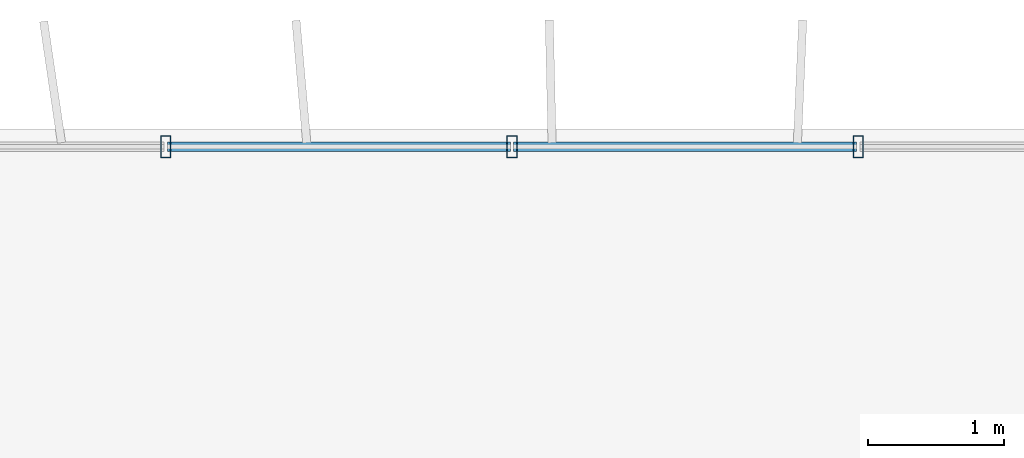
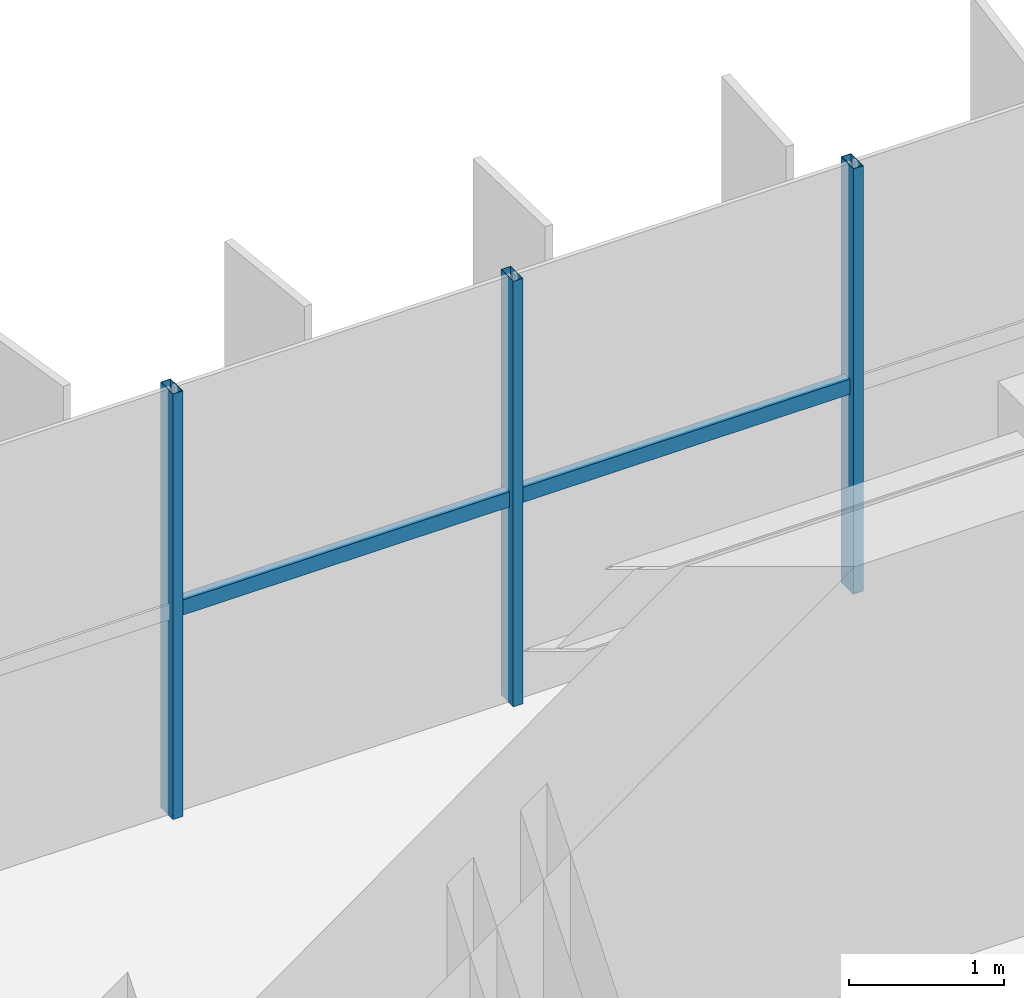
# One storey, part 8 of 23: 5 members, 1 element without a shape of its own.
"""IFC4 building model written with IfcOpenShell, lengths in metres."""

import ifcopenshell
import ifcopenshell.guid

model = None  # the IFC model being written
_history = None  # IfcOwnerHistory: only IFC2X3 demands one
_inside = {}  # id of a spatial element -> (the spatial element, [elements in it])
_under = {}  # id of a project, library or spatial element -> (it, [spatial elements below it])
_declared = {}  # id of a project -> (the project, [libraries it declares])
_typed = {}  # id of a type object -> (the type object, [elements of that type])
_made_of = {}  # id of a material, layer set ... -> (it, [elements and type objects made of it])


def new_model(schema):
    """Start an empty IFC model of exactly this schema.

    Asked for "IFC4X3", IfcOpenShell would pick the latest addendum, in which some entities
    have other attributes; the version numbers below select the first issue.
    IFC2X3 requires an IfcOwnerHistory on every rooted entity: one is made here for all.
    """
    global model, _history
    if schema == "IFC4X3":
        model = ifcopenshell.file(schema_version=(4, 3, 0, 0))
    else:
        model = ifcopenshell.file(schema=schema)
    _inside.clear()
    _under.clear()
    _declared.clear()
    _typed.clear()
    _made_of.clear()
    _history = None
    if model.schema == "IFC2X3":
        org = make("IfcOrganization", Name="unknown")
        user = make(
            "IfcPersonAndOrganization",
            ThePerson=make("IfcPerson", FamilyName="unknown"),
            TheOrganization=org,
        )
        app = make(
            "IfcApplication",
            ApplicationDeveloper=org,
            Version="unknown",
            ApplicationFullName="unknown",
            ApplicationIdentifier="unknown",
        )
        _history = make(
            "IfcOwnerHistory",
            OwningUser=user,
            OwningApplication=app,
            ChangeAction="ADDED",
            CreationDate=0,
        )
    return model


def make(cls, **values):
    """One entity of the class cls with the attributes given. An attribute that is None is left unset."""
    return model.create_entity(
        cls, **{name: value for name, value in values.items() if value is not None}
    )


def rooted(cls, **values):
    """An entity with a GlobalId (a new one), such as an element, a storey or a relation."""
    return make(cls, GlobalId=ifcopenshell.guid.new(), OwnerHistory=_history, **values)


def si_unit(unit_type, name, prefix=None):
    """IfcSIUnit, for example si_unit("LENGTHUNIT", "METRE", prefix="MILLI")."""
    return make("IfcSIUnit", UnitType=unit_type, Prefix=prefix, Name=name)


def assignment(units):
    """IfcUnitAssignment: the units of a project."""
    return None if units is None else make("IfcUnitAssignment", Units=units)


def point(xyz):
    """IfcCartesianPoint."""
    return None if xyz is None else make("IfcCartesianPoint", Coordinates=xyz)


def direction(xyz):
    """IfcDirection."""
    return None if xyz is None else make("IfcDirection", DirectionRatios=xyz)


def frame(location, z_axis=None, x_axis=None):
    """IfcAxis2Placement3D, a coordinate frame: its origin and axes. An axis left out is left unset."""
    return make(
        "IfcAxis2Placement3D",
        Location=point(location),
        Axis=direction(z_axis),
        RefDirection=direction(x_axis),
    )


def frame_2d(location, x_axis=None):
    """IfcAxis2Placement2D, a coordinate frame in the plane: its origin and x axis."""
    return make(
        "IfcAxis2Placement2D", Location=point(location), RefDirection=direction(x_axis)
    )


def origin():
    """The frame at (0, 0, 0) with its axes left unset."""
    return frame((0.0, 0.0, 0.0))


def origin_2d():
    """The frame at (0, 0) in the plane with its x axis left unset."""
    return frame_2d((0.0, 0.0))


def place(relative_to, where):
    """IfcLocalPlacement: puts the frame where relative to a parent placement (None: the world)."""
    return make(
        "IfcLocalPlacement", PlacementRelTo=relative_to, RelativePlacement=where
    )


def context(
    kind, dimensions, precision=None, world=None, true_north=None, identifier=None
):
    """IfcGeometricRepresentationContext, for example the 3D "Model" context."""
    return make(
        "IfcGeometricRepresentationContext",
        ContextIdentifier=identifier,
        ContextType=kind,
        CoordinateSpaceDimension=dimensions,
        Precision=precision,
        WorldCoordinateSystem=world,
        TrueNorth=true_north,
    )


def subcontext(parent, identifier, kind, view, scale=None):
    """IfcGeometricRepresentationSubContext, for example "Body" below "Model"."""
    return make(
        "IfcGeometricRepresentationSubContext",
        ContextIdentifier=identifier,
        ContextType=kind,
        ParentContext=parent,
        TargetScale=scale,
        TargetView=view,
    )


def project(units=None, contexts=None):
    """IfcProject with its units and contexts."""
    return rooted(
        "IfcProject",
        Name="project",
        RepresentationContexts=contexts,
        UnitsInContext=assignment(units),
    )


def spatial(cls, under=None, at=None, **own):
    """A site, building, storey or space (cls), placed at a placement, below another one or the project."""
    s = rooted(cls, ObjectPlacement=at, **own)
    if under is not None:
        _under.setdefault(under.id(), (under, []))[1].append(s)
    return s


def profile(cls, at=None, kind="AREA", **sizes):
    """A parametric profile (cls). Its sizes go by their IFC names, for example OverallWidth=200.0."""
    return make(cls, ProfileType=kind, Position=at, **sizes)


def hollow_rectangle(**sizes):
    """IfcRectangleHollowProfileDef."""
    return profile("IfcRectangleHollowProfileDef", **sizes)


def extrude(swept, where, along, depth):
    """IfcExtrudedAreaSolid: the profile swept, set in the frame where, extruded along a direction by depth."""
    return make(
        "IfcExtrudedAreaSolid",
        SweptArea=swept,
        Position=where,
        ExtrudedDirection=direction(along),
        Depth=depth,
    )


def shape(context_of_items, identifier, shape_type, items):
    """IfcShapeRepresentation: the items that make up one representation, for example the "Body"."""
    return make(
        "IfcShapeRepresentation",
        ContextOfItems=context_of_items,
        RepresentationIdentifier=identifier,
        RepresentationType=shape_type,
        Items=items,
    )


def source(mapping_origin, context_of_items, identifier, shape_type, items):
    """IfcRepresentationMap: a shape defined once, which mapped items show again and again."""
    return make(
        "IfcRepresentationMap",
        MappingOrigin=mapping_origin,
        MappedRepresentation=shape(context_of_items, identifier, shape_type, items),
    )


def transform(
    local_origin,
    x_axis=None,
    y_axis=None,
    z_axis=None,
    scale=None,
    scale2=None,
    scale3=None,
    uniform=True,
):
    """IfcCartesianTransformationOperator3D, or its non-uniform kind. x_axis, y_axis, z_axis: its Axis1, 2, 3."""
    if uniform:
        return make(
            "IfcCartesianTransformationOperator3D",
            Axis1=direction(x_axis),
            Axis2=direction(y_axis),
            LocalOrigin=point(local_origin),
            Scale=scale,
            Axis3=direction(z_axis),
        )
    return make(
        "IfcCartesianTransformationOperator3DnonUniform",
        Axis1=direction(x_axis),
        Axis2=direction(y_axis),
        LocalOrigin=point(local_origin),
        Scale=scale,
        Axis3=direction(z_axis),
        Scale2=scale2,
        Scale3=scale3,
    )


def mapped(mapping_source, mapping_target):
    """IfcMappedItem: shows the shape of a source again, moved by a transform."""
    return make(
        "IfcMappedItem", MappingSource=mapping_source, MappingTarget=mapping_target
    )


def material(Name=None, Category=None):
    """IfcMaterial."""
    return make("IfcMaterial", Name=Name, Category=Category)


def material_profile(
    of_material, cross_section, Name=None, Category=None, Priority=None
):
    """IfcMaterialProfile: a cross section and its material."""
    return make(
        "IfcMaterialProfile",
        Name=Name,
        Material=of_material,
        Profile=cross_section,
        Priority=Priority,
        Category=Category,
    )


def profile_set(profiles, Name=None, composite=None):
    """IfcMaterialProfileSet."""
    return make(
        "IfcMaterialProfileSet",
        Name=Name,
        MaterialProfiles=profiles,
        CompositeProfile=composite,
    )


def made_of(thing, what):
    """Note that an element or type object is made of a material, layer set ...; save() writes the relation."""
    if what is not None:
        _made_of.setdefault(what.id(), (what, []))[1].append(thing)
    return thing


def type_object(cls, material=None, **own):
    """A type object (cls), such as IfcWallType, which elements share."""
    return made_of(rooted(cls, **own), material)


def element(
    cls,
    number,
    at=None,
    inside=None,
    cuts=None,
    type_object=None,
    material=None,
    context=None,
    identifier="Body",
    shape_type=None,
    held_by="IfcProductDefinitionShape",
    body=None,
    shapes=None,
    **own,
):
    """One element of the class cls, such as IfcWall. Its Tag is "e" and its number.

    at: its placement. inside: the storey or other place that contains it. cuts: it is an
    opening in that element (IfcRelVoidsElement). A single representation is given by context,
    identifier, shape_type and body (its items); several are given by shapes. held_by: the class
    of the entity that holds the representations. save() writes the other relations.
    """
    e = rooted(cls, Tag="e%d" % number, ObjectPlacement=at, **own)
    if body is not None:
        shapes = [shape(context, identifier, shape_type, body)]
    if shapes is not None:
        e.Representation = make(held_by, Representations=shapes)
    if inside is not None:
        _inside.setdefault(inside.id(), (inside, []))[1].append(e)
    if cuts is not None:
        rooted(
            "IfcRelVoidsElement", RelatingBuildingElement=cuts, RelatedOpeningElement=e
        )
    if type_object is not None:
        _typed.setdefault(type_object.id(), (type_object, []))[1].append(e)
    return made_of(e, material)


def aggregate(whole, parts):
    """IfcRelAggregates: a whole, such as a stair, and the parts it consists of."""
    return rooted("IfcRelAggregates", RelatingObject=whole, RelatedObjects=parts)


def save(model, path):
    """Write the relations noted so far, then the file.

    IfcRelAggregates (storeys below a building ...), IfcRelContainedInSpatialStructure (elements
    in a storey), IfcRelDefinesByType, IfcRelAssociatesMaterial and IfcRelDeclares: one each for
    every whole, place, type object, material and project.
    """
    for whole, parts in _under.values():
        aggregate(whole, parts)
    for where, things in _inside.values():
        rooted(
            "IfcRelContainedInSpatialStructure",
            RelatedElements=things,
            RelatingStructure=where,
        )
    for kind, things in _typed.values():
        rooted("IfcRelDefinesByType", RelatedObjects=things, RelatingType=kind)
    for what, things in _made_of.values():
        rooted("IfcRelAssociatesMaterial", RelatedObjects=things, RelatingMaterial=what)
    for by, libraries in _declared.values():
        rooted("IfcRelDeclares", RelatingContext=by, RelatedDefinitions=libraries)
    model.write(path)


model = new_model("IFC4")

# Units and contexts
model_context = context("Model", 3, precision=1e-05, world=origin(), true_north=direction((0.0, 1.0)))
body_context = subcontext(model_context, "Body", "Model", "MODEL_VIEW")
ifc_project = project(units=[si_unit("LENGTHUNIT", "METRE"), si_unit("AREAUNIT", "SQUARE_METRE"), si_unit("VOLUMEUNIT", "CUBIC_METRE"), si_unit("PLANEANGLEUNIT", "RADIAN"), si_unit("MASSUNIT", "GRAM", prefix="KILO")], contexts=[model_context])

# Site, building, storey
site_placement = place(None, origin())
site = spatial("IfcSite", under=ifc_project, at=site_placement, CompositionType="ELEMENT")
building_placement = place(site_placement, origin())
building = spatial("IfcBuilding", under=site, at=building_placement, Name="Trelvane Seafront Commons", CompositionType="ELEMENT")
storey_placement = place(building_placement, frame((0.0, 0.0, 204.89990234375)))
storey = spatial("IfcBuildingStorey", under=building, at=storey_placement, Name="L53", CompositionType="ELEMENT", Elevation=204.89990234375)

# Curtain wall, members
ifc_material = material(Name="Anodised pale-silver aluminium", Category="aluminium")
curtain_wall_type = type_object("IfcCurtainWallType", Name="ARCH-CW5-UPTOWER", PredefinedType="NOTDEFINED", material=ifc_material)
curtain_wall_placement = place(storey_placement, origin())
curtain_wall = element("IfcCurtainWall", 1, at=curtain_wall_placement, inside=storey, type_object=curtain_wall_type, Name="CW-L53-0096", PredefinedType="NOTDEFINED")
ifc_material_profile_1 = material_profile(ifc_material, hollow_rectangle(XDim=0.070068359375, YDim=0.1201171875, WallThickness=0.00390625, at=origin_2d()), Name="TRAN-70x120x4")
ifc_profile_set_1 = profile_set([ifc_material_profile_1], Name="Anodised pale-silver aluminium")
member_type_1 = type_object("IfcMemberType", Name="ARCH-CW-TRAN-120", PredefinedType="USERDEFINED", material=ifc_profile_set_1)
shared_shape_1 = source(origin(), body_context, "Body", "SweptSolid", [
    extrude(hollow_rectangle(XDim=0.070068359375, YDim=0.1201171875, WallThickness=0.00390625, at=origin_2d()), origin(), (0.0, 0.0, 1.0), 2.517333984375),
])
member_1_placement = place(storey_placement, frame((25.776611328125, 48.3701171875, 1.613037109375), z_axis=(1.0, 0.0, 0.0), x_axis=(0.0, 1.0, 0.0)))
member_1 = element("IfcMember", 2, at=member_1_placement, type_object=member_type_1, Name="CW-L53-0096-T04", ObjectType="TRANSOM", PredefinedType="USERDEFINED", context=body_context, shape_type="MappedRepresentation", body=[
    mapped(shared_shape_1, transform((0.0, 0.0, 0.0), x_axis=(1.0, 0.0, 0.0), y_axis=(0.0, 1.0, 0.0), z_axis=(0.0, 0.0, 1.0), scale=1.0)),
])
member_2_placement = place(storey_placement, frame((28.31787109375, 48.3701171875, 1.613037109375), z_axis=(1.0, 0.0, 0.0), x_axis=(0.0, 1.0, 0.0)))
member_2 = element("IfcMember", 3, at=member_2_placement, type_object=member_type_1, Name="CW-L53-0096-T05", ObjectType="TRANSOM", PredefinedType="USERDEFINED", context=body_context, shape_type="MappedRepresentation", body=[
    mapped(shared_shape_1, transform((0.0, 0.0, 0.0), x_axis=(1.0, 0.0, 0.0), y_axis=(0.0, 1.0, 0.0), z_axis=(0.0, 0.0, 1.0), scale=1.0)),
])
ifc_material_profile_2 = material_profile(ifc_material, hollow_rectangle(XDim=0.074951171875, YDim=0.159912109375, WallThickness=0.00390625, at=origin_2d()), Name="MULL-75x160x4")
ifc_profile_set_2 = profile_set([ifc_material_profile_2], Name="Anodised pale-silver aluminium")
member_type_2 = type_object("IfcMemberType", Name="ARCH-CW-MULL-160", PredefinedType="MULLION", material=ifc_profile_set_2)
shared_shape_2 = source(origin(), body_context, "Body", "SweptSolid", [
    extrude(hollow_rectangle(XDim=0.074951171875, YDim=0.159912109375, WallThickness=0.00390625, at=origin_2d()), origin(), (0.0, 0.0, 1.0), 3.360107421875),
])
member_3_placement = place(storey_placement, frame((25.7646484375, 48.3701171875, 0.0), z_axis=(0.0, 0.0, 1.0), x_axis=(1.0, 0.0, 0.0)))
member_3 = element("IfcMember", 4, at=member_3_placement, type_object=member_type_2, Name="CW-L53-0096-M04", PredefinedType="MULLION", context=body_context, shape_type="MappedRepresentation", body=[
    mapped(shared_shape_2, transform((0.0, 0.0, 0.0), x_axis=(1.0, 0.0, 0.0), y_axis=(0.0, 1.0, 0.0), z_axis=(0.0, 0.0, 1.0), scale=1.0)),
])
member_4_placement = place(storey_placement, frame((28.305908203125, 48.3701171875, 0.0), z_axis=(0.0, 0.0, 1.0), x_axis=(1.0, 0.0, 0.0)))
member_4 = element("IfcMember", 5, at=member_4_placement, type_object=member_type_2, Name="CW-L53-0096-M05", PredefinedType="MULLION", context=body_context, shape_type="MappedRepresentation", body=[
    mapped(shared_shape_2, transform((0.0, 0.0, 0.0), x_axis=(1.0, 0.0, 0.0), y_axis=(0.0, 1.0, 0.0), z_axis=(0.0, 0.0, 1.0), scale=1.0)),
])
member_5_placement = place(storey_placement, frame((30.84716796875, 48.3701171875, 0.0), z_axis=(0.0, 0.0, 1.0), x_axis=(1.0, 0.0, 0.0)))
member_5 = element("IfcMember", 6, at=member_5_placement, type_object=member_type_2, Name="CW-L53-0096-M06", PredefinedType="MULLION", context=body_context, shape_type="MappedRepresentation", body=[
    mapped(shared_shape_2, transform((0.0, 0.0, 0.0), x_axis=(1.0, 0.0, 0.0), y_axis=(0.0, 1.0, 0.0), z_axis=(0.0, 0.0, 1.0), scale=1.0)),
])
aggregate(curtain_wall, [member_3, member_4, member_5, member_1, member_2])

save(model, "model.ifc")
